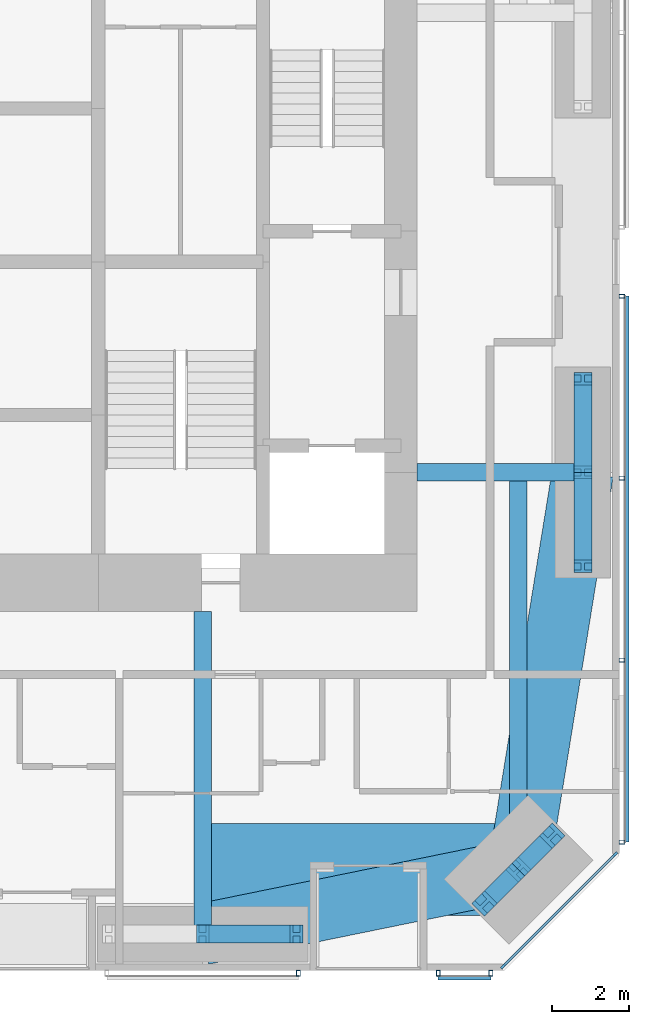
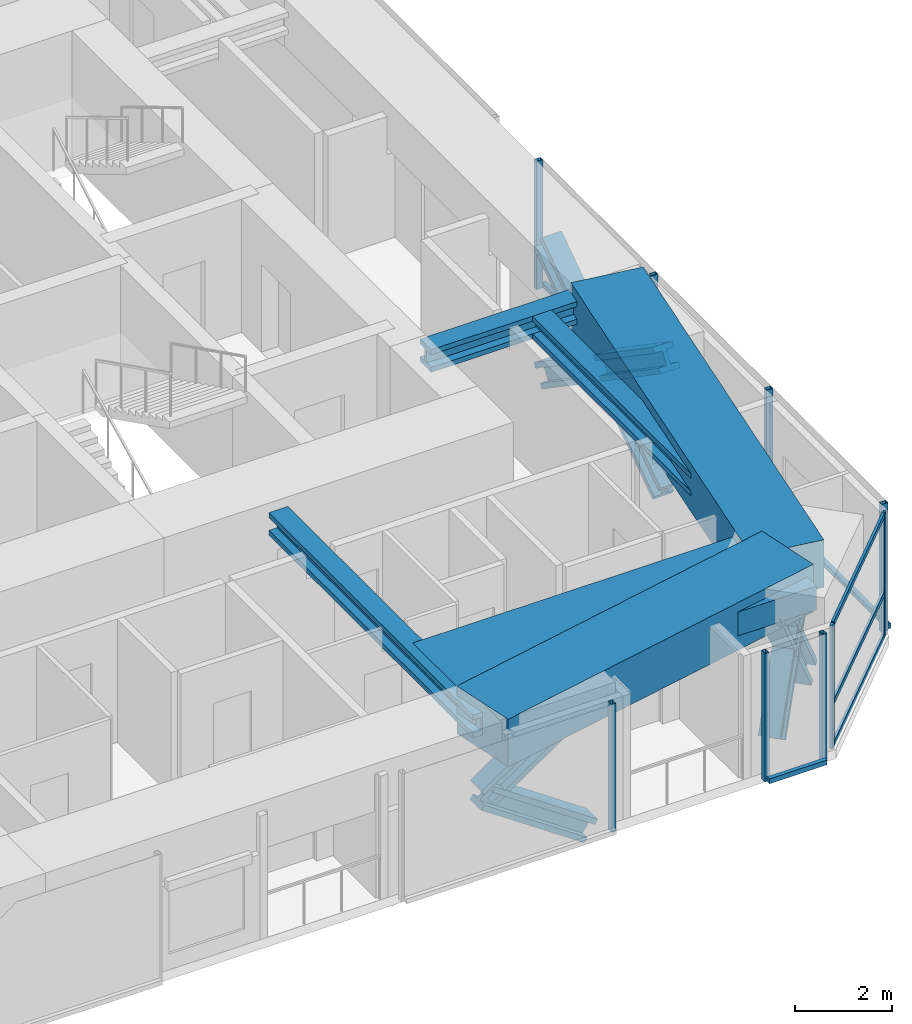
# One storey, part 9 of 25: 24 members, 6 beams, 4 elements without a shape of their own.
"""IFC4 building model written with IfcOpenShell, lengths in metres."""

import ifcopenshell
import ifcopenshell.guid

model = None  # the IFC model being written
_history = None  # IfcOwnerHistory: only IFC2X3 demands one
_inside = {}  # id of a spatial element -> (the spatial element, [elements in it])
_under = {}  # id of a project, library or spatial element -> (it, [spatial elements below it])
_declared = {}  # id of a project -> (the project, [libraries it declares])
_typed = {}  # id of a type object -> (the type object, [elements of that type])
_made_of = {}  # id of a material, layer set ... -> (it, [elements and type objects made of it])


def new_model(schema):
    """Start an empty IFC model of exactly this schema.

    Asked for "IFC4X3", IfcOpenShell would pick the latest addendum, in which some entities
    have other attributes; the version numbers below select the first issue.
    IFC2X3 requires an IfcOwnerHistory on every rooted entity: one is made here for all.
    """
    global model, _history
    if schema == "IFC4X3":
        model = ifcopenshell.file(schema_version=(4, 3, 0, 0))
    else:
        model = ifcopenshell.file(schema=schema)
    _inside.clear()
    _under.clear()
    _declared.clear()
    _typed.clear()
    _made_of.clear()
    _history = None
    if model.schema == "IFC2X3":
        org = make("IfcOrganization", Name="unknown")
        user = make(
            "IfcPersonAndOrganization",
            ThePerson=make("IfcPerson", FamilyName="unknown"),
            TheOrganization=org,
        )
        app = make(
            "IfcApplication",
            ApplicationDeveloper=org,
            Version="unknown",
            ApplicationFullName="unknown",
            ApplicationIdentifier="unknown",
        )
        _history = make(
            "IfcOwnerHistory",
            OwningUser=user,
            OwningApplication=app,
            ChangeAction="ADDED",
            CreationDate=0,
        )
    return model


def make(cls, **values):
    """One entity of the class cls with the attributes given. An attribute that is None is left unset."""
    return model.create_entity(
        cls, **{name: value for name, value in values.items() if value is not None}
    )


def rooted(cls, **values):
    """An entity with a GlobalId (a new one), such as an element, a storey or a relation."""
    return make(cls, GlobalId=ifcopenshell.guid.new(), OwnerHistory=_history, **values)


def si_unit(unit_type, name, prefix=None):
    """IfcSIUnit, for example si_unit("LENGTHUNIT", "METRE", prefix="MILLI")."""
    return make("IfcSIUnit", UnitType=unit_type, Prefix=prefix, Name=name)


def assignment(units):
    """IfcUnitAssignment: the units of a project."""
    return None if units is None else make("IfcUnitAssignment", Units=units)


def point(xyz):
    """IfcCartesianPoint."""
    return None if xyz is None else make("IfcCartesianPoint", Coordinates=xyz)


def direction(xyz):
    """IfcDirection."""
    return None if xyz is None else make("IfcDirection", DirectionRatios=xyz)


def frame(location, z_axis=None, x_axis=None):
    """IfcAxis2Placement3D, a coordinate frame: its origin and axes. An axis left out is left unset."""
    return make(
        "IfcAxis2Placement3D",
        Location=point(location),
        Axis=direction(z_axis),
        RefDirection=direction(x_axis),
    )


def frame_2d(location, x_axis=None):
    """IfcAxis2Placement2D, a coordinate frame in the plane: its origin and x axis."""
    return make(
        "IfcAxis2Placement2D", Location=point(location), RefDirection=direction(x_axis)
    )


def origin():
    """The frame at (0, 0, 0) with its axes left unset."""
    return frame((0.0, 0.0, 0.0))


def origin_2d():
    """The frame at (0, 0) in the plane with its x axis left unset."""
    return frame_2d((0.0, 0.0))


def place(relative_to, where):
    """IfcLocalPlacement: puts the frame where relative to a parent placement (None: the world)."""
    return make(
        "IfcLocalPlacement", PlacementRelTo=relative_to, RelativePlacement=where
    )


def context(
    kind, dimensions, precision=None, world=None, true_north=None, identifier=None
):
    """IfcGeometricRepresentationContext, for example the 3D "Model" context."""
    return make(
        "IfcGeometricRepresentationContext",
        ContextIdentifier=identifier,
        ContextType=kind,
        CoordinateSpaceDimension=dimensions,
        Precision=precision,
        WorldCoordinateSystem=world,
        TrueNorth=true_north,
    )


def subcontext(parent, identifier, kind, view, scale=None):
    """IfcGeometricRepresentationSubContext, for example "Body" below "Model"."""
    return make(
        "IfcGeometricRepresentationSubContext",
        ContextIdentifier=identifier,
        ContextType=kind,
        ParentContext=parent,
        TargetScale=scale,
        TargetView=view,
    )


def project(units=None, contexts=None):
    """IfcProject with its units and contexts."""
    return rooted(
        "IfcProject",
        Name="project",
        RepresentationContexts=contexts,
        UnitsInContext=assignment(units),
    )


def spatial(cls, under=None, at=None, **own):
    """A site, building, storey or space (cls), placed at a placement, below another one or the project."""
    s = rooted(cls, ObjectPlacement=at, **own)
    if under is not None:
        _under.setdefault(under.id(), (under, []))[1].append(s)
    return s


def profile(cls, at=None, kind="AREA", **sizes):
    """A parametric profile (cls). Its sizes go by their IFC names, for example OverallWidth=200.0."""
    return make(cls, ProfileType=kind, Position=at, **sizes)


def rectangle(**sizes):
    """IfcRectangleProfileDef."""
    return profile("IfcRectangleProfileDef", **sizes)


def hollow_rectangle(**sizes):
    """IfcRectangleHollowProfileDef."""
    return profile("IfcRectangleHollowProfileDef", **sizes)


def i_section(**sizes):
    """IfcIShapeProfileDef."""
    return profile("IfcIShapeProfileDef", **sizes)


def extrude(swept, where, along, depth):
    """IfcExtrudedAreaSolid: the profile swept, set in the frame where, extruded along a direction by depth."""
    return make(
        "IfcExtrudedAreaSolid",
        SweptArea=swept,
        Position=where,
        ExtrudedDirection=direction(along),
        Depth=depth,
    )


def shape(context_of_items, identifier, shape_type, items):
    """IfcShapeRepresentation: the items that make up one representation, for example the "Body"."""
    return make(
        "IfcShapeRepresentation",
        ContextOfItems=context_of_items,
        RepresentationIdentifier=identifier,
        RepresentationType=shape_type,
        Items=items,
    )


def material(Name=None, Category=None):
    """IfcMaterial."""
    return make("IfcMaterial", Name=Name, Category=Category)


def material_profile(
    of_material, cross_section, Name=None, Category=None, Priority=None
):
    """IfcMaterialProfile: a cross section and its material."""
    return make(
        "IfcMaterialProfile",
        Name=Name,
        Material=of_material,
        Profile=cross_section,
        Priority=Priority,
        Category=Category,
    )


def profile_set(profiles, Name=None, composite=None):
    """IfcMaterialProfileSet."""
    return make(
        "IfcMaterialProfileSet",
        Name=Name,
        MaterialProfiles=profiles,
        CompositeProfile=composite,
    )


def made_of(thing, what):
    """Note that an element or type object is made of a material, layer set ...; save() writes the relation."""
    if what is not None:
        _made_of.setdefault(what.id(), (what, []))[1].append(thing)
    return thing


def type_object(cls, material=None, **own):
    """A type object (cls), such as IfcWallType, which elements share."""
    return made_of(rooted(cls, **own), material)


def element(
    cls,
    number,
    at=None,
    inside=None,
    cuts=None,
    type_object=None,
    material=None,
    context=None,
    identifier="Body",
    shape_type=None,
    held_by="IfcProductDefinitionShape",
    body=None,
    shapes=None,
    **own,
):
    """One element of the class cls, such as IfcWall. Its Tag is "e" and its number.

    at: its placement. inside: the storey or other place that contains it. cuts: it is an
    opening in that element (IfcRelVoidsElement). A single representation is given by context,
    identifier, shape_type and body (its items); several are given by shapes. held_by: the class
    of the entity that holds the representations. save() writes the other relations.
    """
    e = rooted(cls, Tag="e%d" % number, ObjectPlacement=at, **own)
    if body is not None:
        shapes = [shape(context, identifier, shape_type, body)]
    if shapes is not None:
        e.Representation = make(held_by, Representations=shapes)
    if inside is not None:
        _inside.setdefault(inside.id(), (inside, []))[1].append(e)
    if cuts is not None:
        rooted(
            "IfcRelVoidsElement", RelatingBuildingElement=cuts, RelatedOpeningElement=e
        )
    if type_object is not None:
        _typed.setdefault(type_object.id(), (type_object, []))[1].append(e)
    return made_of(e, material)


def aggregate(whole, parts):
    """IfcRelAggregates: a whole, such as a stair, and the parts it consists of."""
    return rooted("IfcRelAggregates", RelatingObject=whole, RelatedObjects=parts)


def save(model, path):
    """Write the relations noted so far, then the file.

    IfcRelAggregates (storeys below a building ...), IfcRelContainedInSpatialStructure (elements
    in a storey), IfcRelDefinesByType, IfcRelAssociatesMaterial and IfcRelDeclares: one each for
    every whole, place, type object, material and project.
    """
    for whole, parts in _under.values():
        aggregate(whole, parts)
    for where, things in _inside.values():
        rooted(
            "IfcRelContainedInSpatialStructure",
            RelatedElements=things,
            RelatingStructure=where,
        )
    for kind, things in _typed.values():
        rooted("IfcRelDefinesByType", RelatedObjects=things, RelatingType=kind)
    for what, things in _made_of.values():
        rooted("IfcRelAssociatesMaterial", RelatedObjects=things, RelatingMaterial=what)
    for by, libraries in _declared.values():
        rooted("IfcRelDeclares", RelatingContext=by, RelatedDefinitions=libraries)
    model.write(path)


model = new_model("IFC4")

# Units and contexts
model_context = context("Model", 3, precision=1e-05, world=origin(), true_north=direction((0.0, 1.0)))
body_context = subcontext(model_context, "Body", "Model", "MODEL_VIEW")
ifc_project = project(units=[si_unit("LENGTHUNIT", "METRE"), si_unit("AREAUNIT", "SQUARE_METRE"), si_unit("VOLUMEUNIT", "CUBIC_METRE"), si_unit("PLANEANGLEUNIT", "RADIAN"), si_unit("MASSUNIT", "GRAM", prefix="KILO")], contexts=[model_context])

# Site, building, storey
site_placement = place(None, origin())
site = spatial("IfcSite", under=ifc_project, at=site_placement, CompositionType="ELEMENT")
building_placement = place(site_placement, origin())
building = spatial("IfcBuilding", under=site, at=building_placement, Name="Jalousie Tower", CompositionType="ELEMENT")
storey_placement = place(building_placement, frame((0.0, 0.0, 94.800048828125)))
storey = spatial("IfcBuildingStorey", under=building, at=storey_placement, Name="L25", CompositionType="ELEMENT", Elevation=94.800048828125)

# Curtain wall, members
ifc_material_1 = material(Name="Aluminium curtain wall", Category="aluminium")
curtain_wall_type_1 = type_object("IfcCurtainWallType", Name="CORNER WINDOW WALL", PredefinedType="USERDEFINED", material=ifc_material_1)
curtain_wall_1_placement = place(storey_placement, origin())
curtain_wall_1 = element("IfcCurtainWall", 1, at=curtain_wall_1_placement, inside=storey, type_object=curtain_wall_type_1, Name="Corner Window Wall L25 2", ObjectType="CORNER WINDOW WALL", PredefinedType="USERDEFINED")
ifc_material_2 = material(Name="Aluminium mullion", Category="aluminium")
ifc_material_profile_1 = material_profile(ifc_material_2, rectangle(XDim=0.06005859375, YDim=0.14990234375, at=origin_2d()), Name="MULLION 60x150")
ifc_profile_set_1 = profile_set([ifc_material_profile_1], Name="Aluminium mullion")
member_type_1 = type_object("IfcMemberType", Name="CORNER WINDOW WALL MULLION", PredefinedType="MULLION", material=ifc_profile_set_1)
member_1_placement = place(storey_placement, frame((46.469970703125, 0.108642578125, 0.0), z_axis=(0.0, 0.0, 1.0), x_axis=(-0.707106781187, 0.707106781187, 0.0)))
member_1 = element("IfcMember", 2, at=member_1_placement, type_object=member_type_1, Name="CW-C mullion 1", PredefinedType="MULLION", context=body_context, shape_type="SweptSolid", body=[
    extrude(rectangle(XDim=0.06005859375, YDim=0.14990234375, at=origin_2d()), origin(), (0.0, 0.0, 1.0), 3.10986328125),
])
member_2_placement = place(storey_placement, frame((49.391357421875, 3.030029296875, 0.0), z_axis=(0.0, 0.0, 1.0), x_axis=(-0.707106781187, 0.707106781187, 0.0)))
member_2 = element("IfcMember", 3, at=member_2_placement, type_object=member_type_1, Name="CW-C mullion 2", PredefinedType="MULLION", context=body_context, shape_type="SweptSolid", body=[
    extrude(rectangle(XDim=0.06005859375, YDim=0.14990234375, at=origin_2d()), origin(), (0.0, 0.0, 1.0), 3.10986328125),
])
ifc_material_3 = material(Name="Aluminium transom", Category="aluminium")
ifc_material_profile_2 = material_profile(ifc_material_3, rectangle(XDim=0.06005859375, YDim=0.1201171875, at=origin_2d()), Name="TRANSOM 60x120")
ifc_profile_set_2 = profile_set([ifc_material_profile_2], Name="Aluminium transom")
member_type_2 = type_object("IfcMemberType", Name="CORNER WINDOW WALL TRANSOM", PredefinedType="USERDEFINED", material=ifc_profile_set_2)
member_3_placement = place(storey_placement, frame((46.4912109375, 0.1298828125, 0.030029296875), z_axis=(0.707106781187, 0.707106781187, 0.0), x_axis=(-0.707106781187, 0.707106781187, 0.0)))
member_3 = element("IfcMember", 4, at=member_3_placement, type_object=member_type_2, Name="CW-C transom 1.1", ObjectType="TRANSOM", PredefinedType="USERDEFINED", context=body_context, shape_type="SweptSolid", body=[
    extrude(rectangle(XDim=0.06005859375, YDim=0.1201171875, at=origin_2d()), origin(), (0.0, 0.0, 1.0), 4.0712890625),
])
member_4_placement = place(storey_placement, frame((46.4912109375, 0.1298828125, 1.099853515625), z_axis=(0.707106781187, 0.707106781187, 0.0), x_axis=(-0.707106781187, 0.707106781187, 0.0)))
member_4 = element("IfcMember", 5, at=member_4_placement, type_object=member_type_2, Name="CW-C transom 1.2", ObjectType="TRANSOM", PredefinedType="USERDEFINED", context=body_context, shape_type="SweptSolid", body=[
    extrude(rectangle(XDim=0.06005859375, YDim=0.1201171875, at=origin_2d()), origin(), (0.0, 0.0, 1.0), 4.0712890625),
])
member_5_placement = place(storey_placement, frame((46.4912109375, 0.1298828125, 3.079833984375), z_axis=(0.707106781187, 0.707106781187, 0.0), x_axis=(-0.707106781187, 0.707106781187, 0.0)))
member_5 = element("IfcMember", 6, at=member_5_placement, type_object=member_type_2, Name="CW-C transom 1.3", ObjectType="TRANSOM", PredefinedType="USERDEFINED", context=body_context, shape_type="SweptSolid", body=[
    extrude(rectangle(XDim=0.06005859375, YDim=0.1201171875, at=origin_2d()), origin(), (0.0, 0.0, 1.0), 4.0712890625),
])
aggregate(curtain_wall_1, [member_1, member_2, member_3, member_4, member_5])

# Beams
ifc_material_4 = material(Name="Steel ASTM A992 Grade 50", Category="steel")
ifc_material_profile_3 = material_profile(ifc_material_4, i_section(OverallWidth=0.45458984375, OverallDepth=0.569091796875, WebThickness=0.077880859375, FlangeThickness=0.124755859375, at=origin_2d()), Name="W14X730")
ifc_profile_set_3 = profile_set([ifc_material_profile_3], Name="Steel ASTM A992 Grade 50")
beam_type_1 = type_object("IfcBeamType", Name="LEAN COLLECTOR W14X730", PredefinedType="BEAM", material=ifc_profile_set_3)
beam_1_placement = place(storey_placement, frame((38.625, 0.949951171875, 2.825439453125), z_axis=(0.0, 1.0, 0.0), x_axis=(-1.0, 0.0, 0.0)))
element("IfcBeam", 7, at=beam_1_placement, inside=storey, type_object=beam_type_1, Name="Lean collector under L26", PredefinedType="BEAM", context=body_context, shape_type="SweptSolid", body=[
    extrude(i_section(OverallWidth=0.45458984375, OverallDepth=0.569091796875, WebThickness=0.077880859375, FlangeThickness=0.124755859375, at=origin_2d()), origin(), (0.0, 0.0, 1.0), 8.425048828125),
])
beam_2_placement = place(storey_placement, frame((48.550048828125, 13.0, 2.825439453125), z_axis=(-1.0, 0.0, 0.0), x_axis=(0.0, -1.0, 0.0)))
element("IfcBeam", 8, at=beam_2_placement, inside=storey, type_object=beam_type_1, Name="Lean collector under L26", PredefinedType="BEAM", context=body_context, shape_type="SweptSolid", body=[
    extrude(i_section(OverallWidth=0.45458984375, OverallDepth=0.569091796875, WebThickness=0.077880859375, FlangeThickness=0.124755859375, at=origin_2d()), origin(), (0.0, 0.0, 1.0), 4.324951171875),
])
beam_3_placement = place(storey_placement, frame((46.86865234375, 2.63134765625, 2.825439453125), z_axis=(0.0, 1.0, 0.0), x_axis=(-1.0, 0.0, 0.0)))
element("IfcBeam", 9, at=beam_3_placement, inside=storey, type_object=beam_type_1, Name="Lean collector under L26", PredefinedType="BEAM", context=body_context, shape_type="SweptSolid", body=[
    extrude(i_section(OverallWidth=0.45458984375, OverallDepth=0.569091796875, WebThickness=0.077880859375, FlangeThickness=0.124755859375, at=origin_2d()), origin(), (0.0, 0.0, 1.0), 10.36865234375),
])

# Members
ifc_material_5 = material(Name="Steel ASTM A992 Grade 50", Category="steel")
ifc_material_profile_4 = material_profile(ifc_material_5, i_section(OverallWidth=0.472412109375, OverallDepth=0.5791015625, WebThickness=0.094970703125, FlangeThickness=0.1298828125, at=origin_2d()), Name="W14X808")
ifc_profile_set_4 = profile_set([ifc_material_profile_4], Name="Steel ASTM A992 Grade 50")
member_type_3 = type_object("IfcMemberType", Name="PERIMETER BRACE W14X808", PredefinedType="BRACE", material=ifc_profile_set_4)
for number, where, z_axis, x_axis, name in (
    (10, (38.625, 0.949951171875, 1.074951171875), (0.825500916831, 0.0, 0.564400776321), (0.0, 1.0, 0.0), "Perimeter brace 04 L25 part 2"),
    (11, (41.074951171875, 0.949951171875, -0.60009765625), (-0.825500916831, 0.0, 0.564400776321), (0.0, -1.0, 0.0), "Perimeter brace 04 L25 part 3"),
):
    element("IfcMember", number, at=place(storey_placement, frame(where, z_axis=z_axis, x_axis=x_axis)), inside=storey, type_object=member_type_3, Name=name, PredefinedType="BRACE", context=body_context, shape_type="SweptSolid", body=[
        extrude(i_section(OverallWidth=0.472412109375, OverallDepth=0.5791015625, WebThickness=0.094970703125, FlangeThickness=0.1298828125, at=origin_2d()), origin(), (0.0, 0.0, 1.0), 2.9677734375),
    ])
for number, where, z_axis, x_axis, name in (
    (12, (45.984619140625, 1.74755859375, -0.60009765625), (0.422968528423, 0.422851718556, 0.801432497518), (-0.70700912125, 0.707204427637, 0.0), "Perimeter brace 05 L25 part 1"),
    (13, (46.86865234375, 2.63134765625, 1.074951171875), (0.422851718556, 0.422968528423, 0.801432497518), (-0.707204427637, 0.70700912125, 0.0), "Perimeter brace 05 L25 part 2"),
    (14, (47.75244140625, 3.515380859375, -0.60009765625), (-0.422851718556, -0.422968528423, 0.801432497518), (0.707204427637, -0.70700912125, 0.0), "Perimeter brace 05 L25 part 3"),
    (15, (46.86865234375, 2.63134765625, 1.074951171875), (-0.422968528423, -0.422851718556, 0.801432497518), (0.70700912125, -0.707204427637, 0.0), "Perimeter brace 05 L25 part 4"),
):
    element("IfcMember", number, at=place(storey_placement, frame(where, z_axis=z_axis, x_axis=x_axis)), inside=storey, type_object=member_type_3, Name=name, PredefinedType="BRACE", context=body_context, shape_type="SweptSolid", body=[
        extrude(i_section(OverallWidth=0.472412109375, OverallDepth=0.5791015625, WebThickness=0.094970703125, FlangeThickness=0.1298828125, at=origin_2d()), origin(), (0.0, 0.0, 1.0), 2.090087890625),
    ])
for number, where, z_axis, x_axis, name in (
    (16, (48.550048828125, 10.550048828125, -0.60009765625), (0.0, 0.825500916831, 0.564400776321), (-1.0, 0.0, 0.0), "Perimeter brace 06 L25 part 1"),
    (17, (48.550048828125, 13.0, 1.074951171875), (0.0, 0.825500916831, 0.564400776321), (-1.0, 0.0, 0.0), "Perimeter brace 06 L25 part 2"),
    (18, (48.550048828125, 15.449951171875, -0.60009765625), (0.0, -0.825500916831, 0.564400776321), (1.0, 0.0, 0.0), "Perimeter brace 06 L25 part 3"),
    (19, (48.550048828125, 13.0, 1.074951171875), (0.0, -0.825500916831, 0.564400776321), (1.0, 0.0, 0.0), "Perimeter brace 06 L25 part 4"),
):
    element("IfcMember", number, at=place(storey_placement, frame(where, z_axis=z_axis, x_axis=x_axis)), inside=storey, type_object=member_type_3, Name=name, PredefinedType="BRACE", context=body_context, shape_type="SweptSolid", body=[
        extrude(i_section(OverallWidth=0.472412109375, OverallDepth=0.5791015625, WebThickness=0.094970703125, FlangeThickness=0.1298828125, at=origin_2d()), origin(), (0.0, 0.0, 1.0), 2.9677734375),
    ])

# Beams
ifc_material_6 = material(Name="Concrete f'c 40 MPa", Category="concrete")
ifc_material_profile_5 = material_profile(ifc_material_6, rectangle(XDim=1.60009765625, YDim=1.199951171875, at=origin_2d()), Name="RC 1600x1200")
ifc_profile_set_5 = profile_set([ifc_material_profile_5], Name="Concrete f'c 40 MPa")
beam_type_2 = type_object("IfcBeamType", Name="RC BEAM 1600x1200", PredefinedType="BEAM", material=ifc_profile_set_5)
beam_4_placement = place(storey_placement, frame((38.625, 0.949951171875, 2.75), z_axis=(0.97982690954, 0.199848010602, 0.0), x_axis=(-0.199848010602, 0.97982690954, 0.0)))
element("IfcBeam", 20, at=beam_4_placement, inside=storey, type_object=beam_type_2, Name="Edge band beam 04-05 under L26", PredefinedType="BEAM", context=body_context, shape_type="SweptSolid", body=[
    extrude(rectangle(XDim=1.60009765625, YDim=1.199951171875, at=origin_2d()), origin(), (0.0, 0.0, 1.0), 8.413330078125),
])
beam_5_placement = place(storey_placement, frame((46.86865234375, 2.63134765625, 2.75), z_axis=(0.160070546476, 0.987105577003, 0.0), x_axis=(-0.987105577003, 0.160070546476, 0.0)))
element("IfcBeam", 21, at=beam_5_placement, inside=storey, type_object=beam_type_2, Name="Edge band beam 05-06 under L26", PredefinedType="BEAM", context=body_context, shape_type="SweptSolid", body=[
    extrude(rectangle(XDim=1.60009765625, YDim=1.199951171875, at=origin_2d()), origin(), (0.0, 0.0, 1.0), 10.504150390625),
])
ifc_material_7 = material(Name="Concrete f'c 40 MPa", Category="concrete")
ifc_material_profile_6 = material_profile(ifc_material_7, rectangle(XDim=2.39990234375, YDim=0.60009765625, at=origin_2d()), Name="RC 2400x600")
ifc_profile_set_6 = profile_set([ifc_material_profile_6], Name="Concrete f'c 40 MPa")
beam_type_3 = type_object("IfcBeamType", Name="RC BEAM 2400x600", PredefinedType="BEAM", material=ifc_profile_set_6)
beam_6_placement = place(storey_placement, frame((46.86865234375, 2.63134765625, 2.81005859375), z_axis=(-1.0, 0.0, 0.0), x_axis=(0.0, -1.0, 0.0)))
element("IfcBeam", 22, at=beam_6_placement, inside=storey, type_object=beam_type_3, Name="Floor band beam under L26", PredefinedType="BEAM", context=body_context, shape_type="SweptSolid", body=[
    extrude(rectangle(XDim=2.39990234375, YDim=0.60009765625, at=origin_2d()), origin(), (0.0, 0.0, 1.0), 8.24365234375),
])

# Curtain wall, member
ifc_material_8 = material(Name="Perforated aluminium sheet", Category="aluminium")
curtain_wall_type_2 = type_object("IfcCurtainWallType", Name="SOLAR SCREEN SS-1", PredefinedType="USERDEFINED", material=ifc_material_8)
curtain_wall_2_placement = place(storey_placement, origin())
curtain_wall_2 = element("IfcCurtainWall", 23, at=curtain_wall_2_placement, inside=storey, type_object=curtain_wall_type_2, Name="Solar screen L25", ObjectType="SOLAR SCREEN SS-1", PredefinedType="USERDEFINED")
ifc_material_9 = material(Name="Steel ASTM A500 Grade C", Category="steel")
ifc_material_profile_7 = material_profile(ifc_material_9, hollow_rectangle(XDim=0.1015625, YDim=0.15234375, WallThickness=0.00634765625, at=origin_2d()), Name="HSS6X4X1/4")
ifc_profile_set_7 = profile_set([ifc_material_profile_7], Name="Steel ASTM A500 Grade C")
member_type_4 = type_object("IfcMemberType", Name="SOLAR SCREEN SS-1 MULLION", PredefinedType="MULLION", material=ifc_profile_set_7)
member_6_placement = place(storey_placement, frame((41.125, -0.0712890625, -0.1201171875), z_axis=(0.0, 0.0, 1.0), x_axis=(1.0, 0.0, 0.0)))
member_6 = element("IfcMember", 24, at=member_6_placement, type_object=member_type_4, Name="SS1 post 2", PredefinedType="MULLION", context=body_context, shape_type="SweptSolid", body=[
    extrude(hollow_rectangle(XDim=0.1015625, YDim=0.15234375, WallThickness=0.00634765625, at=origin_2d()), origin(), (0.0, 0.0, 1.0), 3.22998046875),
])
aggregate(curtain_wall_2, [member_6])

# Curtain wall, members
curtain_wall_3_placement = place(storey_placement, origin())
curtain_wall_3 = element("IfcCurtainWall", 25, at=curtain_wall_3_placement, inside=storey, type_object=curtain_wall_type_2, Name="Solar screen L25", ObjectType="SOLAR SCREEN SS-1", PredefinedType="USERDEFINED")
member_7_placement = place(storey_placement, frame((44.77490234375, -0.0712890625, -0.1201171875), z_axis=(0.0, 0.0, 1.0), x_axis=(1.0, 0.0, 0.0)))
member_7 = element("IfcMember", 26, at=member_7_placement, type_object=member_type_4, Name="SS1 post 1", PredefinedType="MULLION", context=body_context, shape_type="SweptSolid", body=[
    extrude(hollow_rectangle(XDim=0.1015625, YDim=0.15234375, WallThickness=0.00634765625, at=origin_2d()), origin(), (0.0, 0.0, 1.0), 3.22998046875),
])
member_8_placement = place(storey_placement, frame((46.148681640625, -0.0712890625, -0.1201171875), z_axis=(0.0, 0.0, 1.0), x_axis=(1.0, 0.0, 0.0)))
member_8 = element("IfcMember", 27, at=member_8_placement, type_object=member_type_4, Name="SS1 post 2", PredefinedType="MULLION", context=body_context, shape_type="SweptSolid", body=[
    extrude(hollow_rectangle(XDim=0.1015625, YDim=0.15234375, WallThickness=0.00634765625, at=origin_2d()), origin(), (0.0, 0.0, 1.0), 3.22998046875),
])

curtain_wall_4_placement = place(storey_placement, origin())
curtain_wall_4 = element("IfcCurtainWall", 28, at=curtain_wall_4_placement, inside=storey, type_object=curtain_wall_type_2, Name="Solar screen L25", ObjectType="SOLAR SCREEN SS-1", PredefinedType="USERDEFINED")
member_9_placement = place(storey_placement, frame((49.5712890625, 3.351318359375, -0.1201171875), z_axis=(0.0, 0.0, 1.0), x_axis=(0.0, 1.0, 0.0)))
member_9 = element("IfcMember", 29, at=member_9_placement, type_object=member_type_4, Name="SS1 post 1", PredefinedType="MULLION", context=body_context, shape_type="SweptSolid", body=[
    extrude(hollow_rectangle(XDim=0.1015625, YDim=0.15234375, WallThickness=0.00634765625, at=origin_2d()), origin(), (0.0, 0.0, 1.0), 3.22998046875),
])
member_10_placement = place(storey_placement, frame((49.5712890625, 8.100830078125, -0.1201171875), z_axis=(0.0, 0.0, 1.0), x_axis=(0.0, 1.0, 0.0)))
member_10 = element("IfcMember", 30, at=member_10_placement, type_object=member_type_4, Name="SS1 post 2", PredefinedType="MULLION", context=body_context, shape_type="SweptSolid", body=[
    extrude(hollow_rectangle(XDim=0.1015625, YDim=0.15234375, WallThickness=0.00634765625, at=origin_2d()), origin(), (0.0, 0.0, 1.0), 3.22998046875),
])
member_11_placement = place(storey_placement, frame((49.5712890625, 12.850341796875, -0.1201171875), z_axis=(0.0, 0.0, 1.0), x_axis=(0.0, 1.0, 0.0)))
member_11 = element("IfcMember", 31, at=member_11_placement, type_object=member_type_4, Name="SS1 post 3", PredefinedType="MULLION", context=body_context, shape_type="SweptSolid", body=[
    extrude(hollow_rectangle(XDim=0.1015625, YDim=0.15234375, WallThickness=0.00634765625, at=origin_2d()), origin(), (0.0, 0.0, 1.0), 3.22998046875),
])
member_12_placement = place(storey_placement, frame((49.5712890625, 17.60009765625, -0.1201171875), z_axis=(0.0, 0.0, 1.0), x_axis=(0.0, 1.0, 0.0)))
member_12 = element("IfcMember", 32, at=member_12_placement, type_object=member_type_4, Name="SS1 post 4", PredefinedType="MULLION", context=body_context, shape_type="SweptSolid", body=[
    extrude(hollow_rectangle(XDim=0.1015625, YDim=0.15234375, WallThickness=0.00634765625, at=origin_2d()), origin(), (0.0, 0.0, 1.0), 3.22998046875),
])

# Member
ifc_material_10 = material(Name="Extruded aluminium screen rail", Category="aluminium")
ifc_material_profile_8 = material_profile(ifc_material_10, rectangle(XDim=0.1015625, YDim=0.1201171875, at=origin_2d()), Name="RAIL 102x120")
ifc_profile_set_8 = profile_set([ifc_material_profile_8], Name="Extruded aluminium screen rail")
member_type_5 = type_object("IfcMemberType", Name="SOLAR SCREEN SS-1 TRANSOM", PredefinedType="USERDEFINED", material=ifc_profile_set_8)
member_13_placement = place(storey_placement, frame((44.77490234375, -0.1982421875, -0.06005859375), z_axis=(1.0, 0.0, 0.0), x_axis=(0.0, 1.0, 0.0)))
member_13 = element("IfcMember", 33, at=member_13_placement, type_object=member_type_5, Name="SS1 rail", ObjectType="TRANSOM", PredefinedType="USERDEFINED", context=body_context, shape_type="SweptSolid", body=[
    extrude(rectangle(XDim=0.1015625, YDim=0.1201171875, at=origin_2d()), origin(), (0.0, 0.0, 1.0), 1.373779296875),
])

aggregate(curtain_wall_3, [member_7, member_8, member_13])

member_14_placement = place(storey_placement, frame((49.6982421875, 3.351318359375, -0.06005859375), z_axis=(0.0, 1.0, 0.0), x_axis=(-1.0, 0.0, 0.0)))
member_14 = element("IfcMember", 34, at=member_14_placement, type_object=member_type_5, Name="SS1 rail", ObjectType="TRANSOM", PredefinedType="USERDEFINED", context=body_context, shape_type="SweptSolid", body=[
    extrude(rectangle(XDim=0.1015625, YDim=0.1201171875, at=origin_2d()), origin(), (0.0, 0.0, 1.0), 14.248779296875),
])

aggregate(curtain_wall_4, [member_9, member_10, member_11, member_12, member_14])

save(model, "model.ifc")
